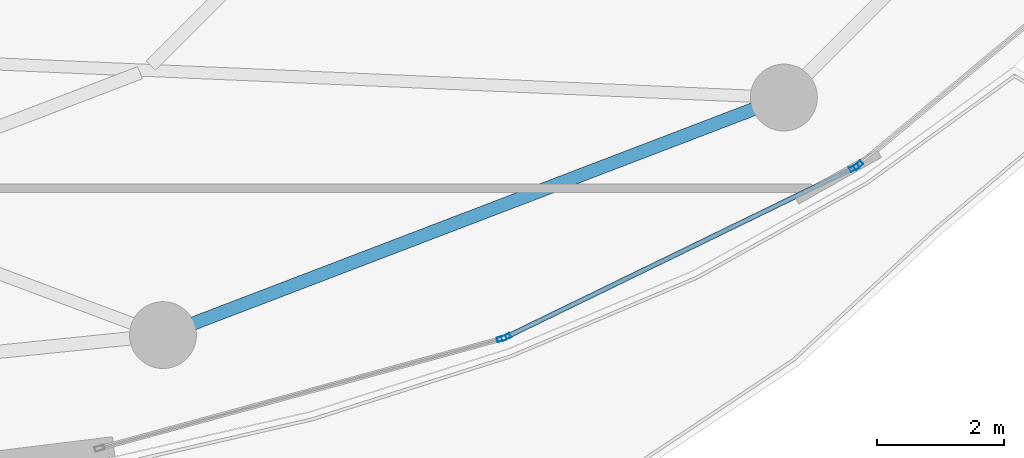
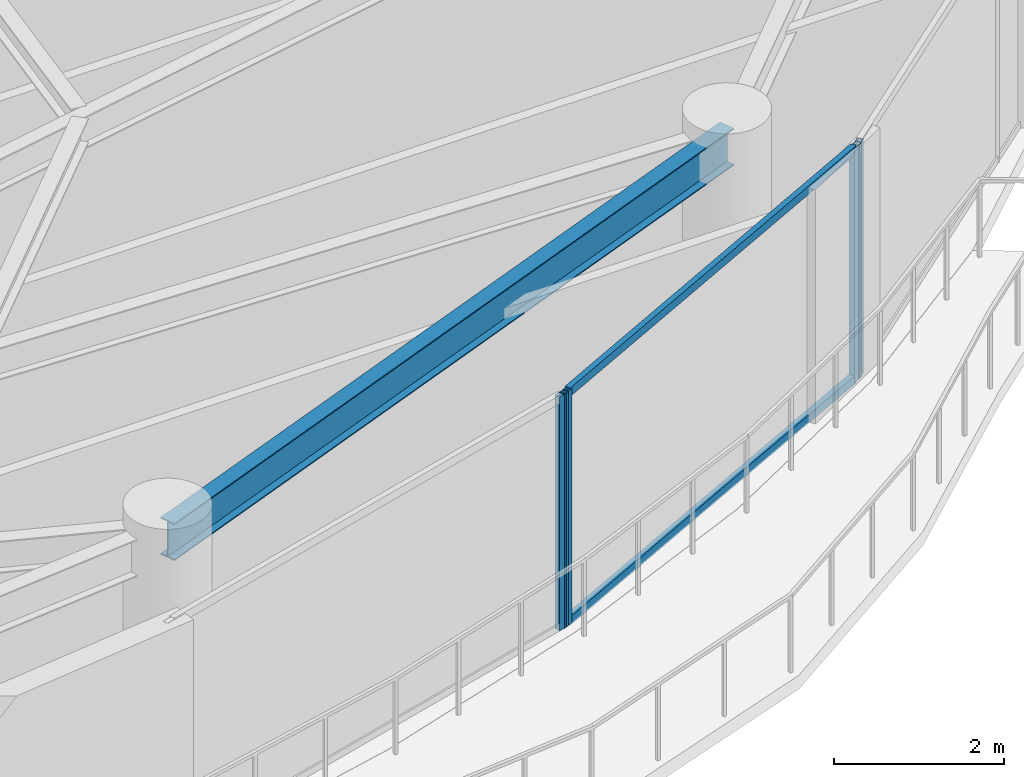
# One storey, part 13 of 31: 6 members, 1 beam, 3 elements without a shape of their own.
"""IFC4 building model written with IfcOpenShell, lengths in metres."""

from ifc_helpers import new_model, si_unit, direction, frame, origin, origin_2d, place, context, subcontext, project, spatial, hollow_rectangle, i_section, extrude, material, layer, layer_set, material_profile, profile_set, type_object, element, aggregate, save


model = new_model("IFC4")

# Units and contexts
model_context = context("Model", 3, precision=1e-05, world=origin(), true_north=direction((0.0, 1.0)))
body_context = subcontext(model_context, "Body", "Model", "MODEL_VIEW")
ifc_project = project(units=[si_unit("LENGTHUNIT", "METRE"), si_unit("AREAUNIT", "SQUARE_METRE"), si_unit("VOLUMEUNIT", "CUBIC_METRE"), si_unit("PLANEANGLEUNIT", "RADIAN"), si_unit("MASSUNIT", "GRAM", prefix="KILO")], contexts=[model_context])

# Site, building, storey
site_placement = place(None, origin())
site = spatial("IfcSite", under=ifc_project, at=site_placement, CompositionType="ELEMENT")
building_placement = place(site_placement, origin())
building = spatial("IfcBuilding", under=site, at=building_placement, Name="Kazevale Care Tower and Concert Hall", CompositionType="ELEMENT")
storey_placement = place(building_placement, frame((0.0, 0.0, 210.0)))
storey = spatial("IfcBuildingStorey", under=building, at=storey_placement, Name="L55", CompositionType="ELEMENT", Elevation=210.0)

# Curtain wall, member
ifc_material_1 = material(Name="Aluminium 6063-T6 and Low-E Glass", Category="aluminium")
ifc_layer = layer(ifc_material_1, 0.179931640625)
ifc_layer_set = layer_set([ifc_layer], Name="Aluminium 6063-T6 and Low-E Glass")
curtain_wall_type = type_object("IfcCurtainWallType", Name="Sheltered Concave Balcony Curtain Wall CW-5", PredefinedType="NOTDEFINED", material=ifc_layer_set)
curtain_wall_1_placement = place(storey_placement, origin())
curtain_wall_1 = element("IfcCurtainWall", 1, at=curtain_wall_1_placement, inside=storey, type_object=curtain_wall_type, Name="cw:L55:f02", PredefinedType="NOTDEFINED")
ifc_material_2 = material(Name="Aluminium 6063-T6", Category="aluminium")
ifc_material_profile_1 = material_profile(ifc_material_2, hollow_rectangle(XDim=0.074951171875, YDim=0.14990234375, WallThickness=0.00390625, at=origin_2d()), Name="ALU75x150x4")
ifc_profile_set_1 = profile_set([ifc_material_profile_1], Name="Aluminium 6063-T6")
member_type_1 = type_object("IfcMemberType", Name="CW-5 Mullion ALU75x150x4", PredefinedType="MULLION", material=ifc_profile_set_1)
member_1_placement = place(storey_placement, frame((67.417724609375, 21.5869140625, 0.0), z_axis=(0.0, 0.0, 1.0), x_axis=(0.639961217204, -0.768407210062, 0.0)))
member_1 = element("IfcMember", 2, at=member_1_placement, type_object=member_type_1, Name="CW-5 mullion 2", PredefinedType="MULLION", context=body_context, shape_type="SweptSolid", body=[
    extrude(hollow_rectangle(XDim=0.074951171875, YDim=0.14990234375, WallThickness=0.00390625, at=origin_2d()), origin(), (0.0, 0.0, 1.0), 3.360107421875),
])
aggregate(curtain_wall_1, [member_1])

# Curtain wall, members
curtain_wall_2_placement = place(storey_placement, origin())
curtain_wall_2 = element("IfcCurtainWall", 3, at=curtain_wall_2_placement, inside=storey, type_object=curtain_wall_type, Name="cw:L55:f03", PredefinedType="NOTDEFINED")
member_2_placement = place(storey_placement, frame((67.355224609375, 21.546630859375, 0.0), z_axis=(0.0, 0.0, 1.0), x_axis=(0.437238357087, -0.89934566163, 0.0)))
member_2 = element("IfcMember", 4, at=member_2_placement, type_object=member_type_1, Name="CW-5 mullion 1", PredefinedType="MULLION", context=body_context, shape_type="SweptSolid", body=[
    extrude(hollow_rectangle(XDim=0.074951171875, YDim=0.14990234375, WallThickness=0.00390625, at=origin_2d()), origin(), (0.0, 0.0, 1.0), 3.360107421875),
])
member_3_placement = place(storey_placement, frame((61.8896484375, 18.889404296875, 0.0), z_axis=(0.0, 0.0, 1.0), x_axis=(0.437238357087, -0.89934566163, 0.0)))
member_3 = element("IfcMember", 5, at=member_3_placement, type_object=member_type_1, Name="CW-5 mullion 2", PredefinedType="MULLION", context=body_context, shape_type="SweptSolid", body=[
    extrude(hollow_rectangle(XDim=0.074951171875, YDim=0.14990234375, WallThickness=0.00390625, at=origin_2d()), origin(), (0.0, 0.0, 1.0), 3.360107421875),
])

# Curtain wall, member
curtain_wall_3_placement = place(storey_placement, origin())
curtain_wall_3 = element("IfcCurtainWall", 6, at=curtain_wall_3_placement, inside=storey, type_object=curtain_wall_type, Name="cw:L55:f04", PredefinedType="NOTDEFINED")
member_4_placement = place(storey_placement, frame((61.81982421875, 18.863037109375, 0.0), z_axis=(0.0, 0.0, 1.0), x_axis=(0.262848968947, -0.964836991167, 0.0)))
member_4 = element("IfcMember", 7, at=member_4_placement, type_object=member_type_1, Name="CW-5 mullion 1", PredefinedType="MULLION", context=body_context, shape_type="SweptSolid", body=[
    extrude(hollow_rectangle(XDim=0.074951171875, YDim=0.14990234375, WallThickness=0.00390625, at=origin_2d()), origin(), (0.0, 0.0, 1.0), 3.360107421875),
])
aggregate(curtain_wall_3, [member_4])

# Member
ifc_material_profile_2 = material_profile(ifc_material_2, hollow_rectangle(XDim=0.074951171875, YDim=0.1201171875, WallThickness=0.00390625, at=origin_2d()), Name="ALU75x120x4")
ifc_profile_set_2 = profile_set([ifc_material_profile_2], Name="Aluminium 6063-T6")
member_type_2 = type_object("IfcMemberType", Name="CW-5 Transom ALU75x120x4", PredefinedType="USERDEFINED", material=ifc_profile_set_2)
member_5_placement = place(storey_placement, frame((67.321533203125, 21.5302734375, 0.03759765625), z_axis=(-0.899342308406, -0.437245254189, 0.0), x_axis=(0.437245254189, -0.899342308406, 0.0)))
member_5 = element("IfcMember", 8, at=member_5_placement, type_object=member_type_2, Name="CW-5 transom 1.1", ObjectType="TRANSOM", PredefinedType="USERDEFINED", context=body_context, shape_type="SweptSolid", body=[
    extrude(hollow_rectangle(XDim=0.074951171875, YDim=0.1201171875, WallThickness=0.00390625, at=origin_2d()), origin(), (0.0, 0.0, 1.0), 6.00244140625),
])

member_6_placement = place(storey_placement, frame((67.321533203125, 21.5302734375, 3.322509765625), z_axis=(-0.899342308406, -0.437245254189, 0.0), x_axis=(0.437245254189, -0.899342308406, 0.0)))
member_6 = element("IfcMember", 9, at=member_6_placement, type_object=member_type_2, Name="CW-5 transom 1.2", ObjectType="TRANSOM", PredefinedType="USERDEFINED", context=body_context, shape_type="SweptSolid", body=[
    extrude(hollow_rectangle(XDim=0.074951171875, YDim=0.1201171875, WallThickness=0.00390625, at=origin_2d()), origin(), (0.0, 0.0, 1.0), 6.00244140625),
])

aggregate(curtain_wall_2, [member_2, member_3, member_5, member_6])

# Beam
ifc_material_3 = material(Name="Steel ASTM A572 Gr 50", Category="steel")
ifc_material_profile_3 = material_profile(ifc_material_3, i_section(OverallWidth=0.208984375, OverallDepth=0.532958984375, WebThickness=0.01025390625, FlangeThickness=0.015625, at=origin_2d()), Name="W530x92")
ifc_profile_set_3 = profile_set([ifc_material_profile_3], Name="Steel ASTM A572 Gr 50")
beam_type = type_object("IfcBeamType", Name="Upper Ring Beam W530x92", PredefinedType="BEAM", material=ifc_profile_set_3)
beam_placement = place(storey_placement, frame((56.5, 18.919921875, 3.093505859375), z_axis=(0.933986653173, 0.357307894811, 0.0), x_axis=(-0.357307894811, 0.933986653173, 0.0)))
element("IfcBeam", 10, at=beam_placement, inside=storey, type_object=beam_type, Name="beam:L55:ring:14", PredefinedType="BEAM", context=body_context, shape_type="SweptSolid", body=[
    extrude(i_section(OverallWidth=0.208984375, OverallDepth=0.532958984375, WebThickness=0.01025390625, FlangeThickness=0.015625, at=origin_2d()), origin(), (0.0, 0.0, 1.0), 10.439208984375),
])

save(model, "model.ifc")
